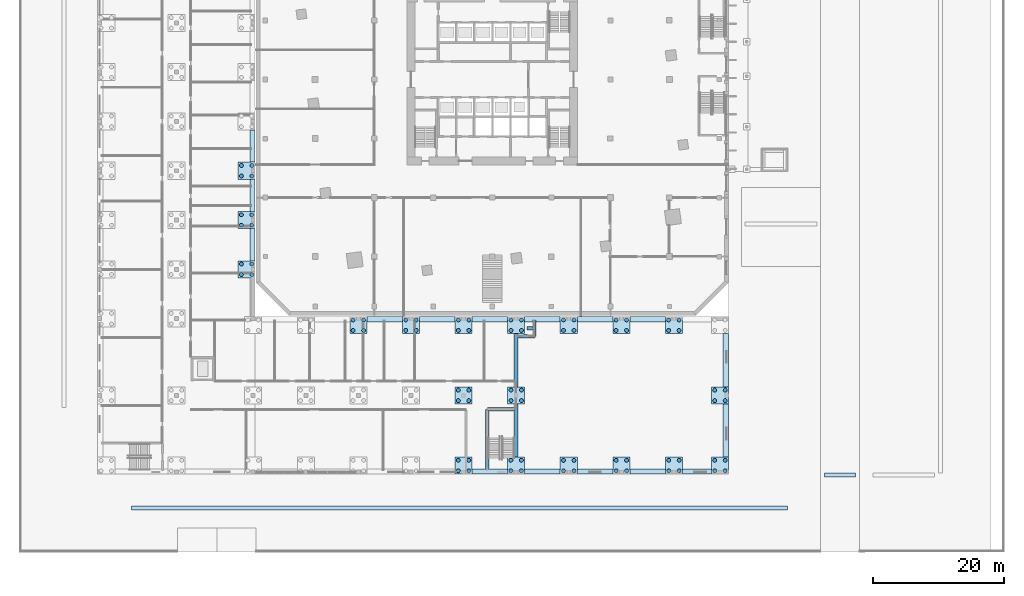
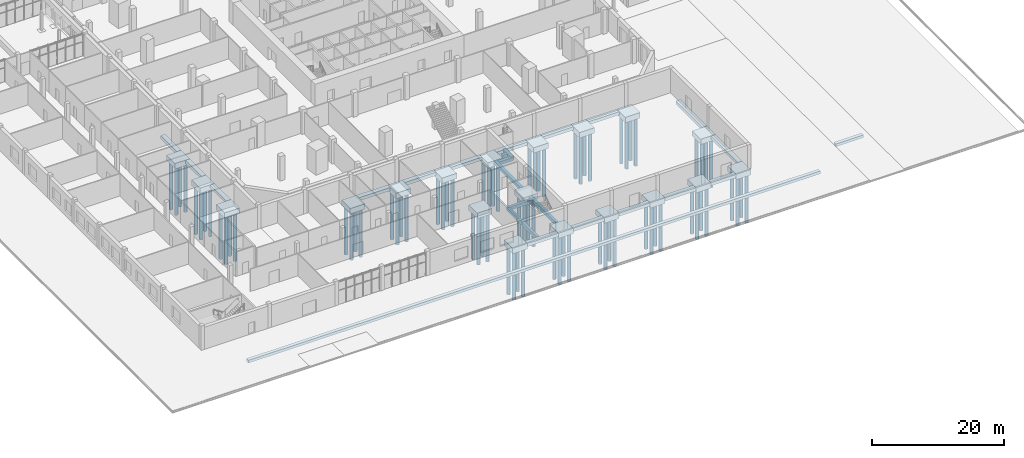
# One storey, part 2 of 42: 76 piles, 44 footings.
"""IFC4 building model written with IfcOpenShell, lengths in metres."""

import ifcopenshell
import ifcopenshell.guid

model = None  # the IFC model being written
_history = None  # IfcOwnerHistory: only IFC2X3 demands one
_inside = {}  # id of a spatial element -> (the spatial element, [elements in it])
_under = {}  # id of a project, library or spatial element -> (it, [spatial elements below it])
_declared = {}  # id of a project -> (the project, [libraries it declares])
_typed = {}  # id of a type object -> (the type object, [elements of that type])
_made_of = {}  # id of a material, layer set ... -> (it, [elements and type objects made of it])


def new_model(schema):
    """Start an empty IFC model of exactly this schema.

    Asked for "IFC4X3", IfcOpenShell would pick the latest addendum, in which some entities
    have other attributes; the version numbers below select the first issue.
    IFC2X3 requires an IfcOwnerHistory on every rooted entity: one is made here for all.
    """
    global model, _history
    if schema == "IFC4X3":
        model = ifcopenshell.file(schema_version=(4, 3, 0, 0))
    else:
        model = ifcopenshell.file(schema=schema)
    _inside.clear()
    _under.clear()
    _declared.clear()
    _typed.clear()
    _made_of.clear()
    _history = None
    if model.schema == "IFC2X3":
        org = make("IfcOrganization", Name="unknown")
        user = make(
            "IfcPersonAndOrganization",
            ThePerson=make("IfcPerson", FamilyName="unknown"),
            TheOrganization=org,
        )
        app = make(
            "IfcApplication",
            ApplicationDeveloper=org,
            Version="unknown",
            ApplicationFullName="unknown",
            ApplicationIdentifier="unknown",
        )
        _history = make(
            "IfcOwnerHistory",
            OwningUser=user,
            OwningApplication=app,
            ChangeAction="ADDED",
            CreationDate=0,
        )
    return model


def make(cls, **values):
    """One entity of the class cls with the attributes given. An attribute that is None is left unset."""
    return model.create_entity(
        cls, **{name: value for name, value in values.items() if value is not None}
    )


def rooted(cls, **values):
    """An entity with a GlobalId (a new one), such as an element, a storey or a relation."""
    return make(cls, GlobalId=ifcopenshell.guid.new(), OwnerHistory=_history, **values)


def si_unit(unit_type, name, prefix=None):
    """IfcSIUnit, for example si_unit("LENGTHUNIT", "METRE", prefix="MILLI")."""
    return make("IfcSIUnit", UnitType=unit_type, Prefix=prefix, Name=name)


def assignment(units):
    """IfcUnitAssignment: the units of a project."""
    return None if units is None else make("IfcUnitAssignment", Units=units)


def point(xyz):
    """IfcCartesianPoint."""
    return None if xyz is None else make("IfcCartesianPoint", Coordinates=xyz)


def direction(xyz):
    """IfcDirection."""
    return None if xyz is None else make("IfcDirection", DirectionRatios=xyz)


def frame(location, z_axis=None, x_axis=None):
    """IfcAxis2Placement3D, a coordinate frame: its origin and axes. An axis left out is left unset."""
    return make(
        "IfcAxis2Placement3D",
        Location=point(location),
        Axis=direction(z_axis),
        RefDirection=direction(x_axis),
    )


def frame_2d(location, x_axis=None):
    """IfcAxis2Placement2D, a coordinate frame in the plane: its origin and x axis."""
    return make(
        "IfcAxis2Placement2D", Location=point(location), RefDirection=direction(x_axis)
    )


def origin():
    """The frame at (0, 0, 0) with its axes left unset."""
    return frame((0.0, 0.0, 0.0))


def origin_2d():
    """The frame at (0, 0) in the plane with its x axis left unset."""
    return frame_2d((0.0, 0.0))


def place(relative_to, where):
    """IfcLocalPlacement: puts the frame where relative to a parent placement (None: the world)."""
    return make(
        "IfcLocalPlacement", PlacementRelTo=relative_to, RelativePlacement=where
    )


def context(
    kind, dimensions, precision=None, world=None, true_north=None, identifier=None
):
    """IfcGeometricRepresentationContext, for example the 3D "Model" context."""
    return make(
        "IfcGeometricRepresentationContext",
        ContextIdentifier=identifier,
        ContextType=kind,
        CoordinateSpaceDimension=dimensions,
        Precision=precision,
        WorldCoordinateSystem=world,
        TrueNorth=true_north,
    )


def subcontext(parent, identifier, kind, view, scale=None):
    """IfcGeometricRepresentationSubContext, for example "Body" below "Model"."""
    return make(
        "IfcGeometricRepresentationSubContext",
        ContextIdentifier=identifier,
        ContextType=kind,
        ParentContext=parent,
        TargetScale=scale,
        TargetView=view,
    )


def project(units=None, contexts=None):
    """IfcProject with its units and contexts."""
    return rooted(
        "IfcProject",
        Name="project",
        RepresentationContexts=contexts,
        UnitsInContext=assignment(units),
    )


def spatial(cls, under=None, at=None, **own):
    """A site, building, storey or space (cls), placed at a placement, below another one or the project."""
    s = rooted(cls, ObjectPlacement=at, **own)
    if under is not None:
        _under.setdefault(under.id(), (under, []))[1].append(s)
    return s


def polyline(points):
    """IfcPolyline through the points."""
    return make("IfcPolyline", Points=[point(p) for p in points])


def profile(cls, at=None, kind="AREA", **sizes):
    """A parametric profile (cls). Its sizes go by their IFC names, for example OverallWidth=200.0."""
    return make(cls, ProfileType=kind, Position=at, **sizes)


def circle(**sizes):
    """IfcCircleProfileDef."""
    return profile("IfcCircleProfileDef", **sizes)


def outline(outer, holes=None, kind="AREA"):
    """IfcArbitraryClosedProfileDef: a profile drawn as a closed curve; with holes, ...WithVoids."""
    if holes is None:
        return make("IfcArbitraryClosedProfileDef", ProfileType=kind, OuterCurve=outer)
    return make(
        "IfcArbitraryProfileDefWithVoids",
        ProfileType=kind,
        OuterCurve=outer,
        InnerCurves=holes,
    )


def extrude(swept, where, along, depth):
    """IfcExtrudedAreaSolid: the profile swept, set in the frame where, extruded along a direction by depth."""
    return make(
        "IfcExtrudedAreaSolid",
        SweptArea=swept,
        Position=where,
        ExtrudedDirection=direction(along),
        Depth=depth,
    )


def shape(context_of_items, identifier, shape_type, items):
    """IfcShapeRepresentation: the items that make up one representation, for example the "Body"."""
    return make(
        "IfcShapeRepresentation",
        ContextOfItems=context_of_items,
        RepresentationIdentifier=identifier,
        RepresentationType=shape_type,
        Items=items,
    )


def material(Name=None, Category=None):
    """IfcMaterial."""
    return make("IfcMaterial", Name=Name, Category=Category)


def material_profile(
    of_material, cross_section, Name=None, Category=None, Priority=None
):
    """IfcMaterialProfile: a cross section and its material."""
    return make(
        "IfcMaterialProfile",
        Name=Name,
        Material=of_material,
        Profile=cross_section,
        Priority=Priority,
        Category=Category,
    )


def profile_set(profiles, Name=None, composite=None):
    """IfcMaterialProfileSet."""
    return make(
        "IfcMaterialProfileSet",
        Name=Name,
        MaterialProfiles=profiles,
        CompositeProfile=composite,
    )


def made_of(thing, what):
    """Note that an element or type object is made of a material, layer set ...; save() writes the relation."""
    if what is not None:
        _made_of.setdefault(what.id(), (what, []))[1].append(thing)
    return thing


def type_object(cls, material=None, **own):
    """A type object (cls), such as IfcWallType, which elements share."""
    return made_of(rooted(cls, **own), material)


def element(
    cls,
    number,
    at=None,
    inside=None,
    cuts=None,
    type_object=None,
    material=None,
    context=None,
    identifier="Body",
    shape_type=None,
    held_by="IfcProductDefinitionShape",
    body=None,
    shapes=None,
    **own,
):
    """One element of the class cls, such as IfcWall. Its Tag is "e" and its number.

    at: its placement. inside: the storey or other place that contains it. cuts: it is an
    opening in that element (IfcRelVoidsElement). A single representation is given by context,
    identifier, shape_type and body (its items); several are given by shapes. held_by: the class
    of the entity that holds the representations. save() writes the other relations.
    """
    e = rooted(cls, Tag="e%d" % number, ObjectPlacement=at, **own)
    if body is not None:
        shapes = [shape(context, identifier, shape_type, body)]
    if shapes is not None:
        e.Representation = make(held_by, Representations=shapes)
    if inside is not None:
        _inside.setdefault(inside.id(), (inside, []))[1].append(e)
    if cuts is not None:
        rooted(
            "IfcRelVoidsElement", RelatingBuildingElement=cuts, RelatedOpeningElement=e
        )
    if type_object is not None:
        _typed.setdefault(type_object.id(), (type_object, []))[1].append(e)
    return made_of(e, material)


def aggregate(whole, parts):
    """IfcRelAggregates: a whole, such as a stair, and the parts it consists of."""
    return rooted("IfcRelAggregates", RelatingObject=whole, RelatedObjects=parts)


def save(model, path):
    """Write the relations noted so far, then the file.

    IfcRelAggregates (storeys below a building ...), IfcRelContainedInSpatialStructure (elements
    in a storey), IfcRelDefinesByType, IfcRelAssociatesMaterial and IfcRelDeclares: one each for
    every whole, place, type object, material and project.
    """
    for whole, parts in _under.values():
        aggregate(whole, parts)
    for where, things in _inside.values():
        rooted(
            "IfcRelContainedInSpatialStructure",
            RelatedElements=things,
            RelatingStructure=where,
        )
    for kind, things in _typed.values():
        rooted("IfcRelDefinesByType", RelatedObjects=things, RelatingType=kind)
    for what, things in _made_of.values():
        rooted("IfcRelAssociatesMaterial", RelatedObjects=things, RelatingMaterial=what)
    for by, libraries in _declared.values():
        rooted("IfcRelDeclares", RelatingContext=by, RelatedDefinitions=libraries)
    model.write(path)


model = new_model("IFC4")

# Units and contexts
model_context = context("Model", 3, precision=1e-05, world=origin(), true_north=direction((0.0, 1.0)))
body_context = subcontext(model_context, "Body", "Model", "MODEL_VIEW")
ifc_project = project(units=[si_unit("LENGTHUNIT", "METRE"), si_unit("AREAUNIT", "SQUARE_METRE"), si_unit("VOLUMEUNIT", "CUBIC_METRE"), si_unit("PLANEANGLEUNIT", "RADIAN"), si_unit("MASSUNIT", "GRAM", prefix="KILO")], contexts=[model_context])

# Site, building, storey
site_placement = place(None, origin())
site = spatial("IfcSite", under=ifc_project, at=site_placement, CompositionType="ELEMENT")
building_placement = place(site_placement, origin())
building = spatial("IfcBuilding", under=site, at=building_placement, Name="Dilmun Exchange Tower", CompositionType="ELEMENT")
storey_placement = place(building_placement, origin())
storey = spatial("IfcBuildingStorey", under=building, at=storey_placement, Name="L00", CompositionType="ELEMENT", Elevation=0.0)

# Piles
ifc_material_1 = material(Name="Concrete C32/40", Category="concrete")
ifc_material_profile = material_profile(ifc_material_1, circle(Radius=0.300048828125, at=origin_2d()), Name="D600")
ifc_profile_set = profile_set([ifc_material_profile], Name="Concrete C32/40")
pile_type = type_object("IfcPileType", Name="School bored pile D600", PredefinedType="BORED", material=ifc_profile_set)
for number, where, z_axis, x_axis, name in (
    (1, (-38.25, -29.736083984375, -1.050048828125), (0.0, 0.0, -1.0), (1.0, 0.0, 0.0), "School pile X03Y04"),
    (2, (-38.25, -28.135986328125, -1.050048828125), (0.0, 0.0, -1.0), (1.0, 0.0, 0.0), "School pile X03Y04"),
    (3, (-36.64990234375, -29.736083984375, -1.050048828125), (0.0, 0.0, -1.0), (1.0, 0.0, 0.0), "School pile X03Y04"),
    (4, (-36.64990234375, -28.135986328125, -1.050048828125), (0.0, 0.0, -1.0), (1.0, 0.0, 0.0), "School pile X03Y04"),
    (5, (-38.25, -22.220947265625, -1.050048828125), (0.0, 0.0, -1.0), (1.0, 0.0, 0.0), "School pile X03Y05"),
    (6, (-38.25, -20.62109375, -1.050048828125), (0.0, 0.0, -1.0), (1.0, 0.0, 0.0), "School pile X03Y05"),
    (7, (-36.64990234375, -22.220947265625, -1.050048828125), (0.0, 0.0, -1.0), (1.0, 0.0, 0.0), "School pile X03Y05"),
    (8, (-36.64990234375, -20.62109375, -1.050048828125), (0.0, 0.0, -1.0), (1.0, 0.0, 0.0), "School pile X03Y05"),
    (9, (-38.25, -14.70703125, -1.050048828125), (0.0, 0.0, -1.0), (1.0, 0.0, 0.0), "School pile X03Y06"),
    (10, (-38.25, -13.10693359375, -1.050048828125), (0.0, 0.0, -1.0), (1.0, 0.0, 0.0), "School pile X03Y06"),
    (11, (-36.64990234375, -14.70703125, -1.050048828125), (0.0, 0.0, -1.0), (1.0, 0.0, 0.0), "School pile X03Y06"),
    (12, (-36.64990234375, -13.10693359375, -1.050048828125), (0.0, 0.0, -1.0), (1.0, 0.0, 0.0), "School pile X03Y06"),
    (13, (-21.217041015625, -38.25, -1.050048828125), (0.0, 0.0, -1.0), (1.0, 0.0, 0.0), "School pile X05Y03"),
    (14, (-21.217041015625, -36.64990234375, -1.050048828125), (0.0, 0.0, -1.0), (1.0, 0.0, 0.0), "School pile X05Y03"),
    (15, (-19.616943359375, -38.25, -1.050048828125), (0.0, 0.0, -1.0), (1.0, 0.0, 0.0), "School pile X05Y03"),
    (16, (-19.616943359375, -36.64990234375, -1.050048828125), (0.0, 0.0, -1.0), (1.0, 0.0, 0.0), "School pile X05Y03"),
    (17, (-13.199951171875, -38.25, -1.050048828125), (0.0, 0.0, -1.0), (1.0, 0.0, 0.0), "School pile X06Y03"),
    (18, (-13.199951171875, -36.64990234375, -1.050048828125), (0.0, 0.0, -1.0), (1.0, 0.0, 0.0), "School pile X06Y03"),
    (19, (-11.60009765625, -38.25, -1.050048828125), (0.0, 0.0, -1.0), (1.0, 0.0, 0.0), "School pile X06Y03"),
    (20, (-11.60009765625, -36.64990234375, -1.050048828125), (0.0, 0.0, -1.0), (1.0, 0.0, 0.0), "School pile X06Y03"),
    (21, (-5.18310546875, -59.64990234375, -1.050048828125), (0.0, 0.0, -1.0), (1.0, 0.0, 0.0), "School pile X07Y01"),
    (22, (-5.18310546875, -58.050048828125, -1.050048828125), (0.0, 0.0, -1.0), (1.0, 0.0, 0.0), "School pile X07Y01"),
    (23, (-3.5830078125, -59.64990234375, -1.050048828125), (0.0, 0.0, -1.0), (1.0, 0.0, 0.0), "School pile X07Y01"),
    (24, (-3.5830078125, -58.050048828125, -1.050048828125), (0.0, 0.0, -1.0), (1.0, 0.0, 0.0), "School pile X07Y01"),
    (25, (-5.18310546875, -48.949951171875, -1.050048828125), (0.0, 0.0, -1.0), (1.0, 0.0, 0.0), "School pile X07Y02"),
    (26, (-5.18310546875, -47.35009765625, -1.050048828125), (0.0, 0.0, -1.0), (1.0, 0.0, 0.0), "School pile X07Y02"),
    (27, (-3.5830078125, -48.949951171875, -1.050048828125), (0.0, 0.0, -1.0), (1.0, 0.0, 0.0), "School pile X07Y02"),
    (28, (-3.5830078125, -47.35009765625, -1.050048828125), (0.0, 0.0, -1.0), (1.0, 0.0, 0.0), "School pile X07Y02"),
    (29, (-5.18310546875, -38.25, -1.050048828125), (0.0, 0.0, -1.0), (1.0, 0.0, 0.0), "School pile X07Y03"),
    (30, (-5.18310546875, -36.64990234375, -1.050048828125), (0.0, 0.0, -1.0), (1.0, 0.0, 0.0), "School pile X07Y03"),
    (31, (-3.5830078125, -38.25, -1.050048828125), (0.0, 0.0, -1.0), (1.0, 0.0, 0.0), "School pile X07Y03"),
    (32, (-3.5830078125, -36.64990234375, -1.050048828125), (0.0, 0.0, -1.0), (1.0, 0.0, 0.0), "School pile X07Y03"),
    (33, (2.8330078125, -59.64990234375, -1.050048828125), (0.0, 0.0, -1.0), (1.0, 0.0, 0.0), "School pile X08Y01"),
    (34, (2.8330078125, -58.050048828125, -1.050048828125), (0.0, 0.0, -1.0), (1.0, 0.0, 0.0), "School pile X08Y01"),
    (35, (4.43310546875, -59.64990234375, -1.050048828125), (0.0, 0.0, -1.0), (1.0, 0.0, 0.0), "School pile X08Y01"),
    (36, (4.43310546875, -58.050048828125, -1.050048828125), (0.0, 0.0, -1.0), (1.0, 0.0, 0.0), "School pile X08Y01"),
    (37, (2.8330078125, -48.949951171875, -1.050048828125), (0.0, 0.0, -1.0), (1.0, 0.0, 0.0), "School pile X08Y02"),
    (38, (2.8330078125, -47.35009765625, -1.050048828125), (0.0, 0.0, -1.0), (1.0, 0.0, 0.0), "School pile X08Y02"),
    (39, (4.43310546875, -48.949951171875, -1.050048828125), (0.0, 0.0, -1.0), (1.0, 0.0, 0.0), "School pile X08Y02"),
    (40, (4.43310546875, -47.35009765625, -1.050048828125), (0.0, 0.0, -1.0), (1.0, 0.0, 0.0), "School pile X08Y02"),
    (41, (2.8330078125, -38.25, -1.050048828125), (0.0, 0.0, -1.0), (1.0, 0.0, 0.0), "School pile X08Y03"),
    (42, (2.8330078125, -36.64990234375, -1.050048828125), (0.0, 0.0, -1.0), (1.0, 0.0, 0.0), "School pile X08Y03"),
    (43, (4.43310546875, -38.25, -1.050048828125), (0.0, 0.0, -1.0), (1.0, 0.0, 0.0), "School pile X08Y03"),
    (44, (4.43310546875, -36.64990234375, -1.050048828125), (0.0, 0.0, -1.0), (1.0, 0.0, 0.0), "School pile X08Y03"),
    (45, (10.85009765625, -59.64990234375, -1.050048828125), (0.0, 0.0, -1.0), (1.0, 0.0, 0.0), "School pile X09Y01"),
    (46, (10.85009765625, -58.050048828125, -1.050048828125), (0.0, 0.0, -1.0), (1.0, 0.0, 0.0), "School pile X09Y01"),
    (47, (12.449951171875, -59.64990234375, -1.050048828125), (0.0, 0.0, -1.0), (1.0, 0.0, 0.0), "School pile X09Y01"),
    (48, (12.449951171875, -58.050048828125, -1.050048828125), (0.0, 0.0, -1.0), (1.0, 0.0, 0.0), "School pile X09Y01"),
    (49, (10.85009765625, -38.25, -1.050048828125), (0.0, 0.0, -1.0), (1.0, 0.0, 0.0), "School pile X09Y03"),
    (50, (10.85009765625, -36.64990234375, -1.050048828125), (0.0, 0.0, -1.0), (1.0, 0.0, 0.0), "School pile X09Y03"),
    (51, (12.449951171875, -38.25, -1.050048828125), (0.0, 0.0, -1.0), (1.0, 0.0, 0.0), "School pile X09Y03"),
    (52, (12.449951171875, -36.64990234375, -1.050048828125), (0.0, 0.0, -1.0), (1.0, 0.0, 0.0), "School pile X09Y03"),
    (53, (18.866943359375, -59.64990234375, -1.050048828125), (0.0, 0.0, -1.0), (1.0, 0.0, 0.0), "School pile X10Y01"),
    (54, (18.866943359375, -58.050048828125, -1.050048828125), (0.0, 0.0, -1.0), (1.0, 0.0, 0.0), "School pile X10Y01"),
    (55, (20.467041015625, -59.64990234375, -1.050048828125), (0.0, 0.0, -1.0), (1.0, 0.0, 0.0), "School pile X10Y01"),
    (56, (20.467041015625, -58.050048828125, -1.050048828125), (0.0, 0.0, -1.0), (1.0, 0.0, 0.0), "School pile X10Y01"),
    (57, (18.866943359375, -38.25, -1.050048828125), (0.0, 0.0, -1.0), (1.0, 0.0, 0.0), "School pile X10Y03"),
    (58, (18.866943359375, -36.64990234375, -1.050048828125), (0.0, 0.0, -1.0), (1.0, 0.0, 0.0), "School pile X10Y03"),
    (59, (20.467041015625, -38.25, -1.050048828125), (0.0, 0.0, -1.0), (1.0, 0.0, 0.0), "School pile X10Y03"),
    (60, (20.467041015625, -36.64990234375, -1.050048828125), (0.0, 0.0, -1.0), (1.0, 0.0, 0.0), "School pile X10Y03"),
    (61, (26.883056640625, -59.64990234375, -1.050048828125), (0.0, 0.0, -1.0), (1.0, 0.0, 0.0), "School pile X11Y01"),
    (62, (26.883056640625, -58.050048828125, -1.050048828125), (0.0, 0.0, -1.0), (1.0, 0.0, 0.0), "School pile X11Y01"),
    (63, (28.48291015625, -59.64990234375, -1.050048828125), (0.0, 0.0, -1.0), (1.0, 0.0, 0.0), "School pile X11Y01"),
    (64, (28.48291015625, -58.050048828125, -1.050048828125), (0.0, 0.0, -1.0), (1.0, 0.0, 0.0), "School pile X11Y01"),
    (65, (26.883056640625, -38.25, -1.050048828125), (0.0, 0.0, -1.0), (1.0, 0.0, 0.0), "School pile X11Y03"),
    (66, (26.883056640625, -36.64990234375, -1.050048828125), (0.0, 0.0, -1.0), (1.0, 0.0, 0.0), "School pile X11Y03"),
    (67, (28.48291015625, -38.25, -1.050048828125), (0.0, 0.0, -1.0), (1.0, 0.0, 0.0), "School pile X11Y03"),
    (68, (28.48291015625, -36.64990234375, -1.050048828125), (0.0, 0.0, -1.0), (1.0, 0.0, 0.0), "School pile X11Y03"),
    (69, (33.89990234375, -59.64990234375, -1.050048828125), (0.0, 0.0, -1.0), (1.0, 0.0, 0.0), "School pile X12Y01"),
    (70, (33.89990234375, -58.050048828125, -1.050048828125), (0.0, 0.0, -1.0), (1.0, 0.0, 0.0), "School pile X12Y01"),
    (71, (35.5, -59.64990234375, -1.050048828125), (0.0, 0.0, -1.0), (1.0, 0.0, 0.0), "School pile X12Y01"),
    (72, (35.5, -58.050048828125, -1.050048828125), (0.0, 0.0, -1.0), (1.0, 0.0, 0.0), "School pile X12Y01"),
    (73, (33.89990234375, -48.949951171875, -1.050048828125), (0.0, 0.0, -1.0), (1.0, 0.0, 0.0), "School pile X12Y02"),
    (74, (33.89990234375, -47.35009765625, -1.050048828125), (0.0, 0.0, -1.0), (1.0, 0.0, 0.0), "School pile X12Y02"),
    (75, (35.5, -48.949951171875, -1.050048828125), (0.0, 0.0, -1.0), (1.0, 0.0, 0.0), "School pile X12Y02"),
    (76, (35.5, -47.35009765625, -1.050048828125), (0.0, 0.0, -1.0), (1.0, 0.0, 0.0), "School pile X12Y02"),
):
    element("IfcPile", number, at=place(storey_placement, frame(where, z_axis=z_axis, x_axis=x_axis)), inside=storey, type_object=pile_type, Name=name, PredefinedType="BORED", context=body_context, shape_type="SweptSolid", body=[
        extrude(circle(Radius=0.300048828125, at=origin_2d()), origin(), (0.0, 0.0, 1.0), 9.0),
    ])

# Footings
ifc_material_2 = material(Name="Concrete C40/50", Category="concrete")
footing_type_1 = type_object("IfcFootingType", Name="School grade beam 800 x 600", PredefinedType="STRIP_FOOTING", material=ifc_material_2)
footing_1_placement = place(storey_placement, frame((0.0, 0.0, -0.800048828125)))
element("IfcFooting", 77, at=footing_1_placement, inside=storey, type_object=footing_type_1, Name="School grade beam", PredefinedType="STRIP_FOOTING", context=body_context, shape_type="SweptSolid", body=[
    extrude(outline(polyline([(-36.949951171875, -12.60693359375), (-36.949951171875, -7.693115234375), (-36.14990234375, -7.693115234375), (-36.14990234375, -12.60693359375), (-36.949951171875, -12.60693359375)])), origin(), (0.0, 0.0, 1.0), 0.60009765625),
])
footing_2_placement = place(storey_placement, frame((0.0, 0.0, -0.800048828125)))
element("IfcFooting", 78, at=footing_2_placement, inside=storey, type_object=footing_type_1, Name="School grade beam", PredefinedType="STRIP_FOOTING", context=body_context, shape_type="SweptSolid", body=[
    extrude(outline(polyline([(-36.949951171875, -20.12109375), (-36.949951171875, -15.20703125), (-36.14990234375, -15.20703125), (-36.14990234375, -20.12109375), (-36.949951171875, -20.12109375)])), origin(), (0.0, 0.0, 1.0), 0.60009765625),
])
footing_3_placement = place(storey_placement, frame((0.0, 0.0, -0.800048828125)))
element("IfcFooting", 79, at=footing_3_placement, inside=storey, type_object=footing_type_1, Name="School grade beam", PredefinedType="STRIP_FOOTING", context=body_context, shape_type="SweptSolid", body=[
    extrude(outline(polyline([(-36.949951171875, -27.635986328125), (-36.949951171875, -22.720947265625), (-36.14990234375, -22.720947265625), (-36.14990234375, -27.635986328125), (-36.949951171875, -27.635986328125)])), origin(), (0.0, 0.0, 1.0), 0.60009765625),
])
footing_4_placement = place(storey_placement, frame((0.0, 0.0, -0.800048828125)))
element("IfcFooting", 80, at=footing_4_placement, inside=storey, type_object=footing_type_1, Name="School grade beam", PredefinedType="STRIP_FOOTING", context=body_context, shape_type="SweptSolid", body=[
    extrude(outline(polyline([(-13.699951171875, -36.949951171875), (-19.116943359375, -36.949951171875), (-19.116943359375, -36.14990234375), (-13.699951171875, -36.14990234375), (-13.699951171875, -36.949951171875)])), origin(), (0.0, 0.0, 1.0), 0.60009765625),
])
footing_5_placement = place(storey_placement, frame((0.0, 0.0, -0.800048828125)))
element("IfcFooting", 81, at=footing_5_placement, inside=storey, type_object=footing_type_1, Name="School grade beam", PredefinedType="STRIP_FOOTING", context=body_context, shape_type="SweptSolid", body=[
    extrude(outline(polyline([(-5.68310546875, -36.949951171875), (-11.10009765625, -36.949951171875), (-11.10009765625, -36.14990234375), (-5.68310546875, -36.14990234375), (-5.68310546875, -36.949951171875)])), origin(), (0.0, 0.0, 1.0), 0.60009765625),
])
footing_6_placement = place(storey_placement, frame((0.0, 0.0, -0.800048828125)))
element("IfcFooting", 82, at=footing_6_placement, inside=storey, type_object=footing_type_1, Name="School grade beam", PredefinedType="STRIP_FOOTING", context=body_context, shape_type="SweptSolid", body=[
    extrude(outline(polyline([(2.3330078125, -36.949951171875), (-3.0830078125, -36.949951171875), (-3.0830078125, -36.14990234375), (2.3330078125, -36.14990234375), (2.3330078125, -36.949951171875)])), origin(), (0.0, 0.0, 1.0), 0.60009765625),
])
footing_7_placement = place(storey_placement, frame((0.0, 0.0, -0.800048828125)))
element("IfcFooting", 83, at=footing_7_placement, inside=storey, type_object=footing_type_1, Name="School grade beam", PredefinedType="STRIP_FOOTING", context=body_context, shape_type="SweptSolid", body=[
    extrude(outline(polyline([(10.35009765625, -36.949951171875), (4.93310546875, -36.949951171875), (4.93310546875, -36.14990234375), (10.35009765625, -36.14990234375), (10.35009765625, -36.949951171875)])), origin(), (0.0, 0.0, 1.0), 0.60009765625),
])
footing_8_placement = place(storey_placement, frame((0.0, 0.0, -0.800048828125)))
element("IfcFooting", 84, at=footing_8_placement, inside=storey, type_object=footing_type_1, Name="School grade beam", PredefinedType="STRIP_FOOTING", context=body_context, shape_type="SweptSolid", body=[
    extrude(outline(polyline([(18.366943359375, -36.949951171875), (12.949951171875, -36.949951171875), (12.949951171875, -36.14990234375), (18.366943359375, -36.14990234375), (18.366943359375, -36.949951171875)])), origin(), (0.0, 0.0, 1.0), 0.60009765625),
])
footing_9_placement = place(storey_placement, frame((0.0, 0.0, -0.800048828125)))
element("IfcFooting", 85, at=footing_9_placement, inside=storey, type_object=footing_type_1, Name="School grade beam", PredefinedType="STRIP_FOOTING", context=body_context, shape_type="SweptSolid", body=[
    extrude(outline(polyline([(26.383056640625, -36.949951171875), (20.967041015625, -36.949951171875), (20.967041015625, -36.14990234375), (26.383056640625, -36.14990234375), (26.383056640625, -36.949951171875)])), origin(), (0.0, 0.0, 1.0), 0.60009765625),
])
footing_10_placement = place(storey_placement, frame((0.0, 0.0, -0.800048828125)))
element("IfcFooting", 86, at=footing_10_placement, inside=storey, type_object=footing_type_1, Name="School grade beam", PredefinedType="STRIP_FOOTING", context=body_context, shape_type="SweptSolid", body=[
    extrude(outline(polyline([(35.199951171875, -46.85009765625), (35.199951171875, -38.75), (36.0, -38.75), (36.0, -46.85009765625), (35.199951171875, -46.85009765625)])), origin(), (0.0, 0.0, 1.0), 0.60009765625),
])
footing_11_placement = place(storey_placement, frame((0.0, 0.0, -0.800048828125)))
element("IfcFooting", 87, at=footing_11_placement, inside=storey, type_object=footing_type_1, Name="School grade beam", PredefinedType="STRIP_FOOTING", context=body_context, shape_type="SweptSolid", body=[
    extrude(outline(polyline([(35.199951171875, -57.550048828125), (35.199951171875, -49.449951171875), (36.0, -49.449951171875), (36.0, -57.550048828125), (35.199951171875, -57.550048828125)])), origin(), (0.0, 0.0, 1.0), 0.60009765625),
])
footing_12_placement = place(storey_placement, frame((0.0, 0.0, -0.800048828125)))
element("IfcFooting", 88, at=footing_12_placement, inside=storey, type_object=footing_type_1, Name="School grade beam", PredefinedType="STRIP_FOOTING", context=body_context, shape_type="SweptSolid", body=[
    extrude(outline(polyline([(28.98291015625, -59.35009765625), (33.39990234375, -59.35009765625), (33.39990234375, -60.14990234375), (28.98291015625, -60.14990234375), (28.98291015625, -59.35009765625)])), origin(), (0.0, 0.0, 1.0), 0.60009765625),
])
footing_13_placement = place(storey_placement, frame((0.0, 0.0, -0.800048828125)))
element("IfcFooting", 89, at=footing_13_placement, inside=storey, type_object=footing_type_1, Name="School grade beam", PredefinedType="STRIP_FOOTING", context=body_context, shape_type="SweptSolid", body=[
    extrude(outline(polyline([(20.967041015625, -59.35009765625), (26.383056640625, -59.35009765625), (26.383056640625, -60.14990234375), (20.967041015625, -60.14990234375), (20.967041015625, -59.35009765625)])), origin(), (0.0, 0.0, 1.0), 0.60009765625),
])
footing_14_placement = place(storey_placement, frame((0.0, 0.0, -0.800048828125)))
element("IfcFooting", 90, at=footing_14_placement, inside=storey, type_object=footing_type_1, Name="School grade beam", PredefinedType="STRIP_FOOTING", context=body_context, shape_type="SweptSolid", body=[
    extrude(outline(polyline([(12.949951171875, -59.35009765625), (18.366943359375, -59.35009765625), (18.366943359375, -60.14990234375), (12.949951171875, -60.14990234375), (12.949951171875, -59.35009765625)])), origin(), (0.0, 0.0, 1.0), 0.60009765625),
])
footing_15_placement = place(storey_placement, frame((0.0, 0.0, -0.800048828125)))
element("IfcFooting", 91, at=footing_15_placement, inside=storey, type_object=footing_type_1, Name="School grade beam", PredefinedType="STRIP_FOOTING", context=body_context, shape_type="SweptSolid", body=[
    extrude(outline(polyline([(4.93310546875, -59.35009765625), (10.35009765625, -59.35009765625), (10.35009765625, -60.14990234375), (4.93310546875, -60.14990234375), (4.93310546875, -59.35009765625)])), origin(), (0.0, 0.0, 1.0), 0.60009765625),
])
footing_16_placement = place(storey_placement, frame((0.0, 0.0, -0.800048828125)))
element("IfcFooting", 92, at=footing_16_placement, inside=storey, type_object=footing_type_1, Name="School grade beam", PredefinedType="STRIP_FOOTING", context=body_context, shape_type="SweptSolid", body=[
    extrude(outline(polyline([(-3.0830078125, -59.35009765625), (2.3330078125, -59.35009765625), (2.3330078125, -60.14990234375), (-3.0830078125, -60.14990234375), (-3.0830078125, -59.35009765625)])), origin(), (0.0, 0.0, 1.0), 0.60009765625),
])
footing_17_placement = place(storey_placement, frame((0.0, 0.0, -0.800048828125)))
element("IfcFooting", 93, at=footing_17_placement, inside=storey, type_object=footing_type_1, Name="School grade beam", PredefinedType="STRIP_FOOTING", context=body_context, shape_type="SweptSolid", body=[
    extrude(outline(polyline([(3.88330078125, -49.449951171875), (3.88330078125, -57.550048828125), (3.38330078125, -57.550048828125), (3.38330078125, -49.449951171875), (3.88330078125, -49.449951171875)])), origin(), (0.0, 0.0, 1.0), 0.60009765625),
])
footing_18_placement = place(storey_placement, frame((0.0, 0.0, -0.800048828125)))
element("IfcFooting", 94, at=footing_18_placement, inside=storey, type_object=footing_type_1, Name="School grade beam", PredefinedType="STRIP_FOOTING", context=body_context, shape_type="SweptSolid", body=[
    extrude(outline(polyline([(3.88330078125, -38.75), (3.88330078125, -46.85009765625), (3.38330078125, -46.85009765625), (3.38330078125, -38.75), (3.88330078125, -38.75)])), origin(), (0.0, 0.0, 1.0), 0.60009765625),
])
footing_19_placement = place(storey_placement, frame((0.0, 0.0, -0.800048828125)))
element("IfcFooting", 95, at=footing_19_placement, inside=storey, type_object=footing_type_1, Name="School grade beam", PredefinedType="STRIP_FOOTING", context=body_context, shape_type="SweptSolid", body=[
    extrude(outline(polyline([(6.48291015625, -39.39990234375), (3.93310546875, -39.39990234375), (3.93310546875, -38.89990234375), (6.48291015625, -38.89990234375), (6.48291015625, -39.39990234375)])), origin(), (0.0, 0.0, 1.0), 0.60009765625),
])
footing_20_placement = place(storey_placement, frame((0.0, 0.0, -0.800048828125)))
element("IfcFooting", 96, at=footing_20_placement, inside=storey, type_object=footing_type_1, Name="School grade beam", PredefinedType="STRIP_FOOTING", context=body_context, shape_type="SweptSolid", body=[
    extrude(outline(polyline([(6.657958984375, -36.75), (6.657958984375, -39.14990234375), (6.157958984375, -39.14990234375), (6.157958984375, -36.75), (6.657958984375, -36.75)])), origin(), (0.0, 0.0, 1.0), 0.60009765625),
])
footing_21_placement = place(storey_placement, frame((0.0, 0.0, -0.800048828125)))
element("IfcFooting", 97, at=footing_21_placement, inside=storey, type_object=footing_type_1, Name="School grade beam", PredefinedType="STRIP_FOOTING", context=body_context, shape_type="SweptSolid", body=[
    extrude(outline(polyline([(6.157958984375, -38.14990234375), (5.30810546875, -38.14990234375), (5.30810546875, -37.64990234375), (6.157958984375, -37.64990234375), (6.157958984375, -38.14990234375)])), origin(), (0.0, 0.0, 1.0), 0.60009765625),
])
footing_22_placement = place(storey_placement, frame((0.0, 0.0, -0.800048828125)))
element("IfcFooting", 98, at=footing_22_placement, inside=storey, type_object=footing_type_1, Name="School grade beam", PredefinedType="STRIP_FOOTING", context=body_context, shape_type="SweptSolid", body=[
    extrude(outline(polyline([(-0.52197265625, -50.27490234375), (-0.52197265625, -59.550048828125), (-1.02197265625, -59.550048828125), (-1.02197265625, -50.27490234375), (-0.52197265625, -50.27490234375)])), origin(), (0.0, 0.0, 1.0), 0.60009765625),
])
footing_23_placement = place(storey_placement, frame((0.0, 0.0, -0.800048828125)))
element("IfcFooting", 99, at=footing_23_placement, inside=storey, type_object=footing_type_1, Name="School grade beam", PredefinedType="STRIP_FOOTING", context=body_context, shape_type="SweptSolid", body=[
    extrude(outline(polyline([(3.3330078125, -50.52490234375), (-0.77197265625, -50.52490234375), (-0.77197265625, -50.02490234375), (3.3330078125, -50.02490234375), (3.3330078125, -50.52490234375)])), origin(), (0.0, 0.0, 1.0), 0.60009765625),
])
footing_type_2 = type_object("IfcFootingType", Name="School pad footing 2600 x 2600 x 1000", PredefinedType="PAD_FOOTING", material=ifc_material_2)
footing_24_placement = place(storey_placement, frame((0.0, 0.0, -1.199951171875)))
element("IfcFooting", 100, at=footing_24_placement, inside=storey, type_object=footing_type_2, Name="School pad footing X03Y04", PredefinedType="PAD_FOOTING", context=body_context, shape_type="SweptSolid", body=[
    extrude(outline(polyline([(-38.75, -30.236083984375), (-38.75, -27.635986328125), (-36.14990234375, -27.635986328125), (-36.14990234375, -30.236083984375), (-38.75, -30.236083984375)])), origin(), (0.0, 0.0, 1.0), 1.0),
])
footing_25_placement = place(storey_placement, frame((0.0, 0.0, -1.199951171875)))
element("IfcFooting", 101, at=footing_25_placement, inside=storey, type_object=footing_type_2, Name="School pad footing X03Y05", PredefinedType="PAD_FOOTING", context=body_context, shape_type="SweptSolid", body=[
    extrude(outline(polyline([(-38.75, -22.720947265625), (-38.75, -20.12109375), (-36.14990234375, -20.12109375), (-36.14990234375, -22.720947265625), (-38.75, -22.720947265625)])), origin(), (0.0, 0.0, 1.0), 1.0),
])
footing_26_placement = place(storey_placement, frame((0.0, 0.0, -1.199951171875)))
element("IfcFooting", 102, at=footing_26_placement, inside=storey, type_object=footing_type_2, Name="School pad footing X03Y06", PredefinedType="PAD_FOOTING", context=body_context, shape_type="SweptSolid", body=[
    extrude(outline(polyline([(-38.75, -15.20703125), (-38.75, -12.60693359375), (-36.14990234375, -12.60693359375), (-36.14990234375, -15.20703125), (-38.75, -15.20703125)])), origin(), (0.0, 0.0, 1.0), 1.0),
])
footing_27_placement = place(storey_placement, frame((0.0, 0.0, -1.199951171875)))
element("IfcFooting", 103, at=footing_27_placement, inside=storey, type_object=footing_type_2, Name="School pad footing X05Y03", PredefinedType="PAD_FOOTING", context=body_context, shape_type="SweptSolid", body=[
    extrude(outline(polyline([(-21.717041015625, -38.75), (-21.717041015625, -36.14990234375), (-19.116943359375, -36.14990234375), (-19.116943359375, -38.75), (-21.717041015625, -38.75)])), origin(), (0.0, 0.0, 1.0), 1.0),
])
footing_28_placement = place(storey_placement, frame((0.0, 0.0, -1.199951171875)))
element("IfcFooting", 104, at=footing_28_placement, inside=storey, type_object=footing_type_2, Name="School pad footing X06Y03", PredefinedType="PAD_FOOTING", context=body_context, shape_type="SweptSolid", body=[
    extrude(outline(polyline([(-13.699951171875, -38.75), (-13.699951171875, -36.14990234375), (-11.10009765625, -36.14990234375), (-11.10009765625, -38.75), (-13.699951171875, -38.75)])), origin(), (0.0, 0.0, 1.0), 1.0),
])
footing_29_placement = place(storey_placement, frame((0.0, 0.0, -1.199951171875)))
element("IfcFooting", 105, at=footing_29_placement, inside=storey, type_object=footing_type_2, Name="School pad footing X07Y01", PredefinedType="PAD_FOOTING", context=body_context, shape_type="SweptSolid", body=[
    extrude(outline(polyline([(-5.68310546875, -60.14990234375), (-5.68310546875, -57.550048828125), (-3.0830078125, -57.550048828125), (-3.0830078125, -60.14990234375), (-5.68310546875, -60.14990234375)])), origin(), (0.0, 0.0, 1.0), 1.0),
])
footing_30_placement = place(storey_placement, frame((0.0, 0.0, -1.199951171875)))
element("IfcFooting", 106, at=footing_30_placement, inside=storey, type_object=footing_type_2, Name="School pad footing X07Y02", PredefinedType="PAD_FOOTING", context=body_context, shape_type="SweptSolid", body=[
    extrude(outline(polyline([(-5.68310546875, -49.449951171875), (-5.68310546875, -46.85009765625), (-3.0830078125, -46.85009765625), (-3.0830078125, -49.449951171875), (-5.68310546875, -49.449951171875)])), origin(), (0.0, 0.0, 1.0), 1.0),
])
footing_31_placement = place(storey_placement, frame((0.0, 0.0, -1.199951171875)))
element("IfcFooting", 107, at=footing_31_placement, inside=storey, type_object=footing_type_2, Name="School pad footing X07Y03", PredefinedType="PAD_FOOTING", context=body_context, shape_type="SweptSolid", body=[
    extrude(outline(polyline([(-5.68310546875, -38.75), (-5.68310546875, -36.14990234375), (-3.0830078125, -36.14990234375), (-3.0830078125, -38.75), (-5.68310546875, -38.75)])), origin(), (0.0, 0.0, 1.0), 1.0),
])
footing_32_placement = place(storey_placement, frame((0.0, 0.0, -1.199951171875)))
element("IfcFooting", 108, at=footing_32_placement, inside=storey, type_object=footing_type_2, Name="School pad footing X08Y01", PredefinedType="PAD_FOOTING", context=body_context, shape_type="SweptSolid", body=[
    extrude(outline(polyline([(2.3330078125, -60.14990234375), (2.3330078125, -57.550048828125), (4.93310546875, -57.550048828125), (4.93310546875, -60.14990234375), (2.3330078125, -60.14990234375)])), origin(), (0.0, 0.0, 1.0), 1.0),
])
footing_33_placement = place(storey_placement, frame((0.0, 0.0, -1.199951171875)))
element("IfcFooting", 109, at=footing_33_placement, inside=storey, type_object=footing_type_2, Name="School pad footing X08Y02", PredefinedType="PAD_FOOTING", context=body_context, shape_type="SweptSolid", body=[
    extrude(outline(polyline([(2.3330078125, -49.449951171875), (2.3330078125, -46.85009765625), (4.93310546875, -46.85009765625), (4.93310546875, -49.449951171875), (2.3330078125, -49.449951171875)])), origin(), (0.0, 0.0, 1.0), 1.0),
])
footing_34_placement = place(storey_placement, frame((0.0, 0.0, -1.199951171875)))
element("IfcFooting", 110, at=footing_34_placement, inside=storey, type_object=footing_type_2, Name="School pad footing X08Y03", PredefinedType="PAD_FOOTING", context=body_context, shape_type="SweptSolid", body=[
    extrude(outline(polyline([(2.3330078125, -38.75), (2.3330078125, -36.14990234375), (4.93310546875, -36.14990234375), (4.93310546875, -38.75), (2.3330078125, -38.75)])), origin(), (0.0, 0.0, 1.0), 1.0),
])
footing_35_placement = place(storey_placement, frame((0.0, 0.0, -1.199951171875)))
element("IfcFooting", 111, at=footing_35_placement, inside=storey, type_object=footing_type_2, Name="School pad footing X09Y01", PredefinedType="PAD_FOOTING", context=body_context, shape_type="SweptSolid", body=[
    extrude(outline(polyline([(10.35009765625, -60.14990234375), (10.35009765625, -57.550048828125), (12.949951171875, -57.550048828125), (12.949951171875, -60.14990234375), (10.35009765625, -60.14990234375)])), origin(), (0.0, 0.0, 1.0), 1.0),
])
footing_36_placement = place(storey_placement, frame((0.0, 0.0, -1.199951171875)))
element("IfcFooting", 112, at=footing_36_placement, inside=storey, type_object=footing_type_2, Name="School pad footing X09Y03", PredefinedType="PAD_FOOTING", context=body_context, shape_type="SweptSolid", body=[
    extrude(outline(polyline([(10.35009765625, -38.75), (10.35009765625, -36.14990234375), (12.949951171875, -36.14990234375), (12.949951171875, -38.75), (10.35009765625, -38.75)])), origin(), (0.0, 0.0, 1.0), 1.0),
])
footing_37_placement = place(storey_placement, frame((0.0, 0.0, -1.199951171875)))
element("IfcFooting", 113, at=footing_37_placement, inside=storey, type_object=footing_type_2, Name="School pad footing X10Y01", PredefinedType="PAD_FOOTING", context=body_context, shape_type="SweptSolid", body=[
    extrude(outline(polyline([(18.366943359375, -60.14990234375), (18.366943359375, -57.550048828125), (20.967041015625, -57.550048828125), (20.967041015625, -60.14990234375), (18.366943359375, -60.14990234375)])), origin(), (0.0, 0.0, 1.0), 1.0),
])
footing_38_placement = place(storey_placement, frame((0.0, 0.0, -1.199951171875)))
element("IfcFooting", 114, at=footing_38_placement, inside=storey, type_object=footing_type_2, Name="School pad footing X10Y03", PredefinedType="PAD_FOOTING", context=body_context, shape_type="SweptSolid", body=[
    extrude(outline(polyline([(18.366943359375, -38.75), (18.366943359375, -36.14990234375), (20.967041015625, -36.14990234375), (20.967041015625, -38.75), (18.366943359375, -38.75)])), origin(), (0.0, 0.0, 1.0), 1.0),
])
footing_39_placement = place(storey_placement, frame((0.0, 0.0, -1.199951171875)))
element("IfcFooting", 115, at=footing_39_placement, inside=storey, type_object=footing_type_2, Name="School pad footing X11Y01", PredefinedType="PAD_FOOTING", context=body_context, shape_type="SweptSolid", body=[
    extrude(outline(polyline([(26.383056640625, -60.14990234375), (26.383056640625, -57.550048828125), (28.98291015625, -57.550048828125), (28.98291015625, -60.14990234375), (26.383056640625, -60.14990234375)])), origin(), (0.0, 0.0, 1.0), 1.0),
])
footing_40_placement = place(storey_placement, frame((0.0, 0.0, -1.199951171875)))
element("IfcFooting", 116, at=footing_40_placement, inside=storey, type_object=footing_type_2, Name="School pad footing X11Y03", PredefinedType="PAD_FOOTING", context=body_context, shape_type="SweptSolid", body=[
    extrude(outline(polyline([(26.383056640625, -38.75), (26.383056640625, -36.14990234375), (28.98291015625, -36.14990234375), (28.98291015625, -38.75), (26.383056640625, -38.75)])), origin(), (0.0, 0.0, 1.0), 1.0),
])
footing_41_placement = place(storey_placement, frame((0.0, 0.0, -1.199951171875)))
element("IfcFooting", 117, at=footing_41_placement, inside=storey, type_object=footing_type_2, Name="School pad footing X12Y01", PredefinedType="PAD_FOOTING", context=body_context, shape_type="SweptSolid", body=[
    extrude(outline(polyline([(33.39990234375, -60.14990234375), (33.39990234375, -57.550048828125), (36.0, -57.550048828125), (36.0, -60.14990234375), (33.39990234375, -60.14990234375)])), origin(), (0.0, 0.0, 1.0), 1.0),
])
footing_42_placement = place(storey_placement, frame((0.0, 0.0, -1.199951171875)))
element("IfcFooting", 118, at=footing_42_placement, inside=storey, type_object=footing_type_2, Name="School pad footing X12Y02", PredefinedType="PAD_FOOTING", context=body_context, shape_type="SweptSolid", body=[
    extrude(outline(polyline([(33.39990234375, -49.449951171875), (33.39990234375, -46.85009765625), (36.0, -46.85009765625), (36.0, -49.449951171875), (33.39990234375, -49.449951171875)])), origin(), (0.0, 0.0, 1.0), 1.0),
])
footing_type_3 = type_object("IfcFootingType", Name="Site edge footing 600 x 500", PredefinedType="STRIP_FOOTING", material=ifc_material_1)
footing_43_placement = place(storey_placement, frame((0.0, 0.0, -0.830078125)))
element("IfcFooting", 119, at=footing_43_placement, inside=storey, type_object=footing_type_3, Name="Site edge footing", PredefinedType="STRIP_FOOTING", context=body_context, shape_type="SweptSolid", body=[
    extrude(outline(polyline([(45.0, -65.0), (45.0, -65.60009765625), (-55.0, -65.60009765625), (-55.0, -65.0), (45.0, -65.0)])), origin(), (0.0, 0.0, 1.0), 0.5),
])
footing_44_placement = place(storey_placement, frame((0.0, 0.0, -0.830078125)))
element("IfcFooting", 120, at=footing_44_placement, inside=storey, type_object=footing_type_3, Name="Site edge footing", PredefinedType="STRIP_FOOTING", context=body_context, shape_type="SweptSolid", body=[
    extrude(outline(polyline([(55.39990234375, -60.0), (55.39990234375, -60.60009765625), (50.60009765625, -60.60009765625), (50.60009765625, -60.0), (55.39990234375, -60.0)])), origin(), (0.0, 0.0, 1.0), 0.5),
])

save(model, "model.ifc")
